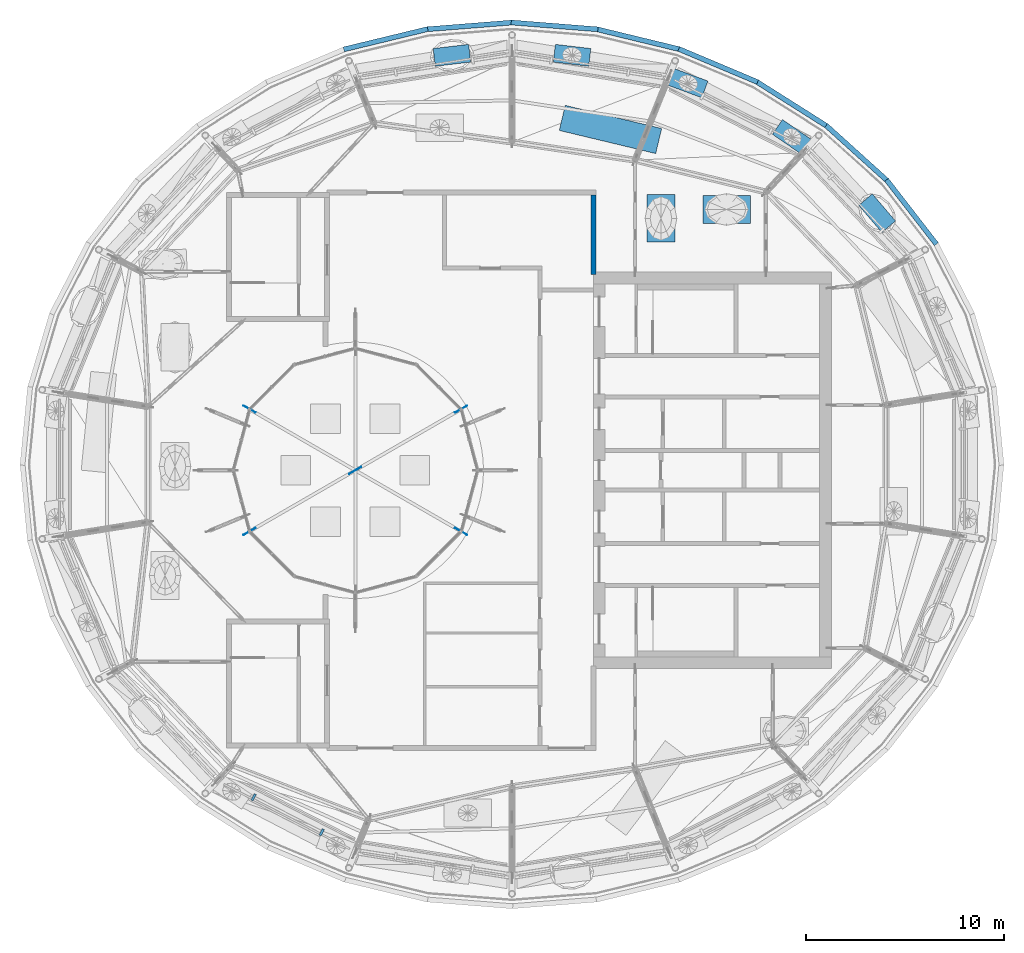
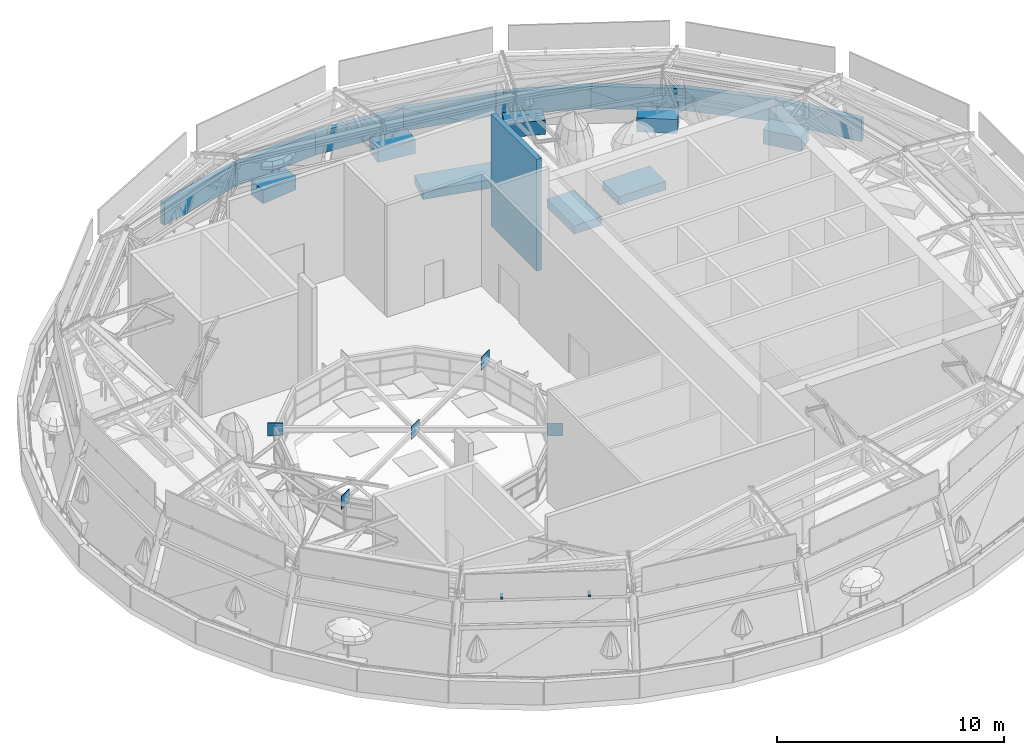
# One storey, part 19 of 40: 17 walls, 7 discrete accessories.
"""IFC4 building model written with IfcOpenShell, lengths in metres."""

from ifc_helpers import new_model, si_unit, direction, frame, frame_2d, origin, origin_2d, place, context, subcontext, project, spatial, rectangle, extrude, material, layer, layer_set, constituent, constituent_set, type_object, element, save


model = new_model("IFC4")

# Units and contexts
model_context = context("Model", 3, precision=1e-05, world=origin(), true_north=direction((0.0, 1.0)))
body_context = subcontext(model_context, "Body", "Model", "MODEL_VIEW")
ifc_project = project(units=[si_unit("LENGTHUNIT", "METRE"), si_unit("AREAUNIT", "SQUARE_METRE"), si_unit("VOLUMEUNIT", "CUBIC_METRE"), si_unit("PLANEANGLEUNIT", "RADIAN"), si_unit("MASSUNIT", "GRAM", prefix="KILO")], contexts=[model_context])

# Site, building, storey
site_placement = place(None, origin())
site = spatial("IfcSite", under=ifc_project, at=site_placement, CompositionType="ELEMENT")
building_placement = place(site_placement, origin())
building = spatial("IfcBuilding", under=site, at=building_placement, Name="Taillehof Tower", CompositionType="ELEMENT")
storey_placement = place(building_placement, frame((0.0, 0.0, 275.199951171875)))
storey = spatial("IfcBuildingStorey", under=building, at=storey_placement, Name="L77", CompositionType="ELEMENT", Elevation=275.199951171875)

# Walls
ifc_material_1 = material(Name="Calcium silicate blockwork", Category="masonry")
ifc_layer = layer(ifc_material_1, 0.25)
ifc_layer_set = layer_set([ifc_layer], Name="Fire-resisting wall EI 120 250 mm")
wall_type_1 = type_object("IfcWallType", Name="Fire-resisting wall EI 120 250 mm", PredefinedType="PARTITIONING", material=ifc_layer_set)
wall_1_placement = place(storey_placement, frame((4.0, 9.875, 0.0), z_axis=(0.0, 0.0, 1.0), x_axis=(0.0, 1.0, 0.0)))
element("IfcWall", 1, at=wall_1_placement, inside=storey, type_object=wall_type_1, Name="Wall L77-05 / TERR", PredefinedType="PARTITIONING", context=body_context, shape_type="SweptSolid", body=[
    extrude(rectangle(XDim=4.0, YDim=0.25, at=frame_2d((2.0, 0.0))), origin(), (0.0, 0.0, 1.0), 6.0),
])
ifc_material_2 = material(Name="Concrete C30/37 precast", Category="concrete")
ifc_constituent_1 = constituent(ifc_material_2, Name="Structure", Category="concrete")
ifc_material_3 = material(Name="Insulated lining")
ifc_constituent_2 = constituent(ifc_material_3, Name="Lining")
ifc_constituent_set_1 = constituent_set(constituents=[ifc_constituent_1, ifc_constituent_2], Name="Ground-cover bed 1300x450")
wall_type_2 = type_object("IfcWallType", Name="Ground-cover bed 1300x450", PredefinedType="USERDEFINED", material=ifc_constituent_set_1)
wall_2_placement = place(storey_placement, frame((7.29541015625, 16.600341796875, 0.0), z_axis=(0.0, 0.0, 1.0), x_axis=(-0.972440904882, 0.233149493915, 0.0)))
element("IfcWall", 2, at=wall_2_placement, inside=storey, type_object=wall_type_2, Name="Ground-cover bed SGC04", ObjectType="PLANTER", PredefinedType="USERDEFINED", context=body_context, shape_type="SweptSolid", body=[
    extrude(rectangle(XDim=5.0, YDim=1.300048828125, at=frame_2d((2.5, 0.0))), origin(), (0.0, 0.0, 1.0), 0.449951171875),
])
ifc_material_4 = material(Name="Brick masonry", Category="masonry")
ifc_constituent_3 = constituent(ifc_material_4, Name="Wall", Category="masonry")
ifc_material_5 = material(Name="Concrete C30/37 precast", Category="concrete")
ifc_constituent_4 = constituent(ifc_material_5, Name="Coping", Category="concrete")
ifc_constituent_set_2 = constituent_set(constituents=[ifc_constituent_3, ifc_constituent_4], Name="Parapet 250")
wall_type_3 = type_object("IfcWallType", Name="Parapet 250", PredefinedType="PARAPET", material=ifc_constituent_set_2)
wall_3_placement = place(storey_placement, frame((21.297119140625, 11.399658203125, 0.0), z_axis=(0.0, 0.0, 1.0), x_axis=(-0.612697000034, 0.790317901955, 0.0)))
element("IfcWall", 3, at=wall_3_placement, inside=storey, type_object=wall_type_3, Name="Roof parapet 4", PredefinedType="PARAPET", context=body_context, shape_type="SweptSolid", body=[
    extrude(rectangle(XDim=4.10693359375, YDim=0.25, at=frame_2d((2.053466796875, 0.0))), origin(), (0.0, 0.0, 1.0), 1.199951171875),
])
wall_4_placement = place(storey_placement, frame((18.83642578125, 14.585693359375, 0.0), z_axis=(0.0, 0.0, 1.0), x_axis=(-0.742122328142, 0.670264462786, 0.0)))
element("IfcWall", 4, at=wall_4_placement, inside=storey, type_object=wall_type_3, Name="Roof parapet 5", PredefinedType="PARAPET", context=body_context, shape_type="SweptSolid", body=[
    extrude(rectangle(XDim=4.178955078125, YDim=0.25, at=frame_2d((2.08935546875, 0.0))), origin(), (0.0, 0.0, 1.0), 1.199951171875),
])
wall_5_placement = place(storey_placement, frame((15.7998046875, 17.337646484375, 0.0), z_axis=(0.0, 0.0, 1.0), x_axis=(-0.845162513097, 0.534509425975, 0.0)))
element("IfcWall", 5, at=wall_5_placement, inside=storey, type_object=wall_type_3, Name="Roof parapet 6", PredefinedType="PARAPET", context=body_context, shape_type="SweptSolid", body=[
    extrude(rectangle(XDim=4.25, YDim=0.25, at=frame_2d((2.125, 0.0))), origin(), (0.0, 0.0, 1.0), 1.199951171875),
])
wall_6_placement = place(storey_placement, frame((12.279052734375, 19.572021484375, 0.0), z_axis=(0.0, 0.0, 1.0), x_axis=(-0.921578869706, 0.38819117315, 0.0)))
element("IfcWall", 6, at=wall_6_placement, inside=storey, type_object=wall_type_3, Name="Roof parapet 7", PredefinedType="PARAPET", context=body_context, shape_type="SweptSolid", body=[
    extrude(rectangle(XDim=4.311279296875, YDim=0.25, at=frame_2d((2.15576171875, 0.0))), origin(), (0.0, 0.0, 1.0), 1.199951171875),
])
wall_7_placement = place(storey_placement, frame((8.3818359375, 21.220703125, 0.0), z_axis=(0.0, 0.0, 1.0), x_axis=(-0.971941416431, 0.235223049519, 0.0)))
element("IfcWall", 7, at=wall_7_placement, inside=storey, type_object=wall_type_3, Name="Roof parapet 8", PredefinedType="PARAPET", context=body_context, shape_type="SweptSolid", body=[
    extrude(rectangle(XDim=4.356201171875, YDim=0.25, at=frame_2d((2.17822265625, 0.0))), origin(), (0.0, 0.0, 1.0), 1.199951171875),
])
wall_8_placement = place(storey_placement, frame((4.2265625, 22.232666015625, 0.0), z_axis=(0.0, 0.0, 1.0), x_axis=(-0.996889280893, 0.07881472984, 0.0)))
element("IfcWall", 8, at=wall_8_placement, inside=storey, type_object=wall_type_3, Name="Roof parapet 9", PredefinedType="PARAPET", context=body_context, shape_type="SweptSolid", body=[
    extrude(rectangle(XDim=4.380126953125, YDim=0.25, at=frame_2d((2.18994140625, 0.0))), origin(), (0.0, 0.0, 1.0), 1.199951171875),
])
wall_9_placement = place(storey_placement, frame((-0.060302734375, 22.577880859375, 0.0), z_axis=(0.0, 0.0, 1.0), x_axis=(-0.996888934628, -0.078819109459, 0.0)))
element("IfcWall", 9, at=wall_9_placement, inside=storey, type_object=wall_type_3, Name="Roof parapet 10", PredefinedType="PARAPET", context=body_context, shape_type="SweptSolid", body=[
    extrude(rectangle(XDim=4.3798828125, YDim=0.25, at=frame_2d((2.18994140625, 0.0))), origin(), (0.0, 0.0, 1.0), 1.199951171875),
])
wall_10_placement = place(storey_placement, frame((-4.347900390625, 22.245361328125, 0.0), z_axis=(0.0, 0.0, 1.0), x_axis=(-0.971941416431, -0.235223049519, 0.0)))
element("IfcWall", 10, at=wall_10_placement, inside=storey, type_object=wall_type_3, Name="Roof parapet 11", PredefinedType="PARAPET", context=body_context, shape_type="SweptSolid", body=[
    extrude(rectangle(XDim=4.356201171875, YDim=0.25, at=frame_2d((2.17822265625, 0.0))), origin(), (0.0, 0.0, 1.0), 1.199951171875),
])
ifc_material_6 = material(Name="Concrete C30/37 precast", Category="concrete")
ifc_constituent_5 = constituent(ifc_material_6, Name="Structure", Category="concrete")
ifc_material_7 = material(Name="Insulated lining")
ifc_constituent_6 = constituent(ifc_material_7, Name="Lining")
ifc_constituent_set_3 = constituent_set(constituents=[ifc_constituent_5, ifc_constituent_6], Name="Raised tree bed 1400x450")
wall_type_4 = type_object("IfcWallType", Name="Raised tree bed 1400x450", PredefinedType="USERDEFINED", material=ifc_constituent_set_3)
for number, where, z_axis, x_axis, name in (
    (11, (7.409912109375, 11.5, 0.0), (0.0, 0.0, 1.0), (0.0, 1.0, 0.0), "Raised tree bed SGB04"),
    (12, (11.91650390625, 13.14990234375, 0.0), (0.0, 0.0, 1.0), (-1.0, 0.0, 0.0), "Raised tree bed SGB09"),
):
    element("IfcWall", number, at=place(storey_placement, frame(where, z_axis=z_axis, x_axis=x_axis)), inside=storey, type_object=wall_type_4, Name=name, ObjectType="PLANTER", PredefinedType="USERDEFINED", context=body_context, shape_type="SweptSolid", body=[
        extrude(rectangle(XDim=2.39990234375, YDim=1.39990234375, at=frame_2d((1.199951171875, 0.0))), origin(), (0.0, 0.0, 1.0), 0.449951171875),
    ])
ifc_material_8 = material(Name="Concrete C30/37 precast", Category="concrete")
ifc_constituent_7 = constituent(ifc_material_8, Name="Structure", Category="concrete")
ifc_material_9 = material(Name="Insulated lining")
ifc_constituent_8 = constituent(ifc_material_9, Name="Lining")
ifc_constituent_set_4 = constituent_set(constituents=[ifc_constituent_7, ifc_constituent_8], Name="Roof planter 900x750")
wall_type_5 = type_object("IfcWallType", Name="Roof planter 900x750", PredefinedType="USERDEFINED", material=ifc_constituent_set_4)
for number, where, z_axis, x_axis, name in (
    (13, (18.89111328125, 12.278564453125, 0.0), (0.0, 0.0, 1.0), (-0.650255036817, 0.759715991075, 0.0), "Roof planter 3"),
    (14, (14.7646484375, 16.291748046875, 0.0), (0.0, 0.0, 1.0), (-0.823907335421, 0.566724538589, 0.0), "Roof planter 4"),
):
    element("IfcWall", number, at=place(storey_placement, frame(where, z_axis=z_axis, x_axis=x_axis)), inside=storey, type_object=wall_type_5, Name=name, ObjectType="PLANTER", PredefinedType="USERDEFINED", context=body_context, shape_type="SweptSolid", body=[
        extrude(rectangle(XDim=1.7998046875, YDim=0.89990234375, at=frame_2d((0.89990234375, 0.0))), origin(), (0.0, 0.0, 1.0), 0.75),
    ])
for number, where, z_axis, x_axis, name in (
    (15, (9.6220703125, 19.203369140625, 0.0), (0.0, 0.0, 1.0), (-0.937439184, 0.348149071952, 0.0), "Roof planter 5"),
    (16, (3.822021484375, 20.816650390625, 0.0), (0.0, 0.0, 1.0), (-0.993109807566, 0.117187499828, 0.0), "Roof planter 6"),
    (17, (-2.234375, 21.027587890625, 0.0), (0.0, 0.0, 1.0), (-0.993109807566, -0.117187499828, 0.0), "Roof planter 7"),
):
    element("IfcWall", number, at=place(storey_placement, frame(where, z_axis=z_axis, x_axis=x_axis)), inside=storey, type_object=wall_type_5, Name=name, ObjectType="PLANTER", PredefinedType="USERDEFINED", context=body_context, shape_type="SweptSolid", body=[
        extrude(rectangle(XDim=1.800048828125, YDim=0.89990234375, at=frame_2d((0.89990234375, 0.0))), origin(), (0.0, 0.0, 1.0), 0.75),
    ])

# Discrete accessories
ifc_material_10 = material(Name="Steel S460M", Category="steel")
discrete_accessory_type_1 = type_object("IfcDiscreteAccessoryType", Name="Steel bracket", PredefinedType="BRACKET", material=ifc_material_10)
for number, where, z_axis, x_axis, name in (
    (18, (-13.126220703125, -16.4833984375, 4.429931640625), (0.0, 0.0, 1.0), (-0.46114473719, -0.887324929979, 0.0), "Crown fascia bracket"),
    (19, (-9.693603515625, -18.24609375, 4.429931640625), (0.0, 0.0, 1.0), (-0.46114473719, -0.887324929979, 0.0), "Crown fascia bracket"),
):
    element("IfcDiscreteAccessory", number, at=place(storey_placement, frame(where, z_axis=z_axis, x_axis=x_axis)), inside=storey, type_object=discrete_accessory_type_1, Name=name, PredefinedType="BRACKET", context=body_context, shape_type="SweptSolid", body=[
        extrude(rectangle(XDim=0.360107421875, YDim=0.1201171875, at=origin_2d()), origin(), (0.0, 0.0, 1.0), 0.10009765625),
    ])
ifc_material_11 = material(Name="Steel S460M", Category="steel")
discrete_accessory_type_2 = type_object("IfcDiscreteAccessoryType", Name="Steel gusset plate", PredefinedType="BRACKET", material=ifc_material_11)
for number, where, z_axis, x_axis, name in (
    (20, (-13.330078125, -3.080078125, 1.30029296875), (0.0, 0.0, 1.0), (0.866025403784, 0.5, 0.0), "Gusset plate 349"),
    (21, (-13.330078125, 3.080078125, 1.30029296875), (0.0, 0.0, 1.0), (0.866025403784, -0.5, 0.0), "Gusset plate 350"),
    (22, (-8.0, 0.0, 1.30029296875), (0.0, 0.0, 1.0), (-0.866025403784, -0.5, 0.0), "Gusset plate 360"),
    (23, (-2.669921875, -3.080078125, 1.30029296875), (0.0, 0.0, 1.0), (-0.866025403784, 0.5, 0.0), "Gusset plate 367"),
    (24, (-2.669921875, 3.080078125, 1.30029296875), (0.0, 0.0, 1.0), (-0.866025403784, -0.5, 0.0), "Gusset plate 368"),
):
    element("IfcDiscreteAccessory", number, at=place(storey_placement, frame(where, z_axis=z_axis, x_axis=x_axis)), inside=storey, type_object=discrete_accessory_type_2, Name=name, PredefinedType="BRACKET", context=body_context, shape_type="SweptSolid", body=[
        extrude(rectangle(XDim=0.699951171875, YDim=0.02490234375, at=origin_2d()), origin(), (0.0, 0.0, 1.0), 0.699951171875),
    ])

save(model, "model.ifc")
